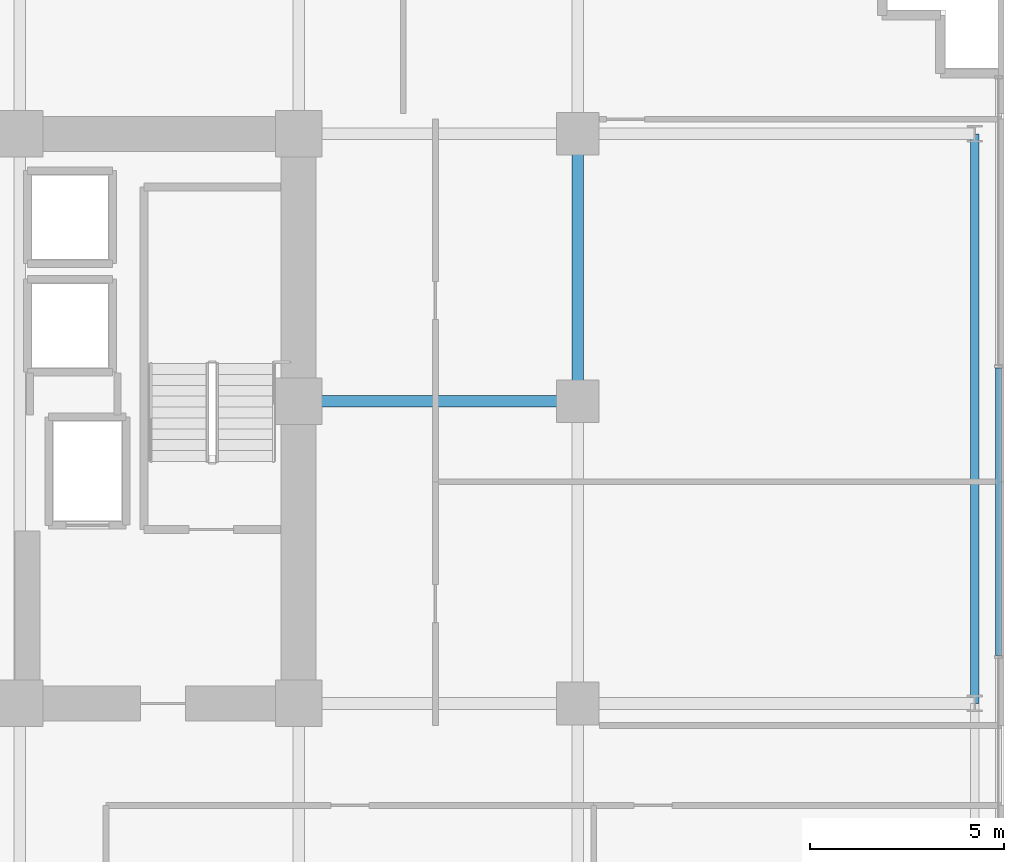
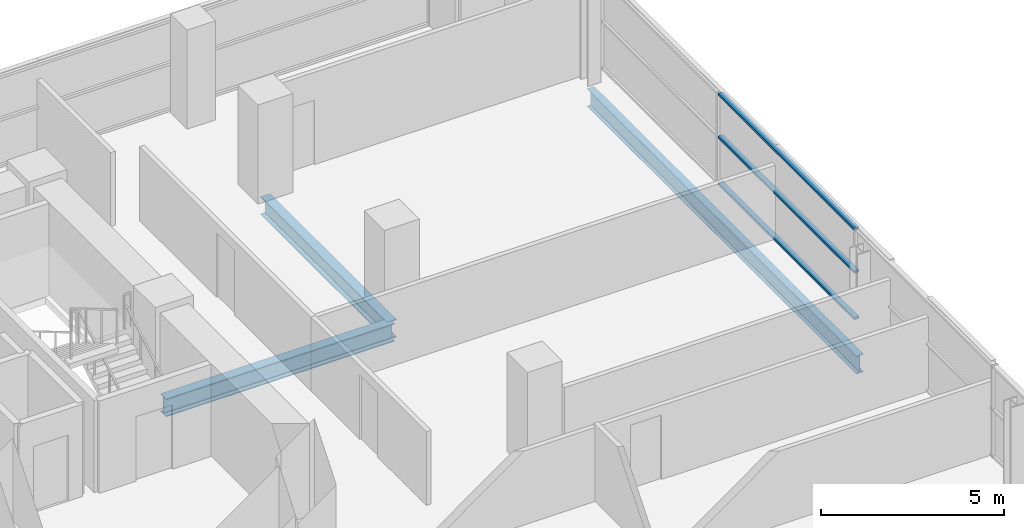
# One storey, part 16 of 31: 3 beams, 3 members, 1 element without a shape of its own.
"""IFC4 building model written with IfcOpenShell, lengths in metres."""

import ifcopenshell
import ifcopenshell.guid

model = None  # the IFC model being written
_history = None  # IfcOwnerHistory: only IFC2X3 demands one
_inside = {}  # id of a spatial element -> (the spatial element, [elements in it])
_under = {}  # id of a project, library or spatial element -> (it, [spatial elements below it])
_declared = {}  # id of a project -> (the project, [libraries it declares])
_typed = {}  # id of a type object -> (the type object, [elements of that type])
_made_of = {}  # id of a material, layer set ... -> (it, [elements and type objects made of it])


def new_model(schema):
    """Start an empty IFC model of exactly this schema.

    Asked for "IFC4X3", IfcOpenShell would pick the latest addendum, in which some entities
    have other attributes; the version numbers below select the first issue.
    IFC2X3 requires an IfcOwnerHistory on every rooted entity: one is made here for all.
    """
    global model, _history
    if schema == "IFC4X3":
        model = ifcopenshell.file(schema_version=(4, 3, 0, 0))
    else:
        model = ifcopenshell.file(schema=schema)
    _inside.clear()
    _under.clear()
    _declared.clear()
    _typed.clear()
    _made_of.clear()
    _history = None
    if model.schema == "IFC2X3":
        org = make("IfcOrganization", Name="unknown")
        user = make(
            "IfcPersonAndOrganization",
            ThePerson=make("IfcPerson", FamilyName="unknown"),
            TheOrganization=org,
        )
        app = make(
            "IfcApplication",
            ApplicationDeveloper=org,
            Version="unknown",
            ApplicationFullName="unknown",
            ApplicationIdentifier="unknown",
        )
        _history = make(
            "IfcOwnerHistory",
            OwningUser=user,
            OwningApplication=app,
            ChangeAction="ADDED",
            CreationDate=0,
        )
    return model


def make(cls, **values):
    """One entity of the class cls with the attributes given. An attribute that is None is left unset."""
    return model.create_entity(
        cls, **{name: value for name, value in values.items() if value is not None}
    )


def rooted(cls, **values):
    """An entity with a GlobalId (a new one), such as an element, a storey or a relation."""
    return make(cls, GlobalId=ifcopenshell.guid.new(), OwnerHistory=_history, **values)


def si_unit(unit_type, name, prefix=None):
    """IfcSIUnit, for example si_unit("LENGTHUNIT", "METRE", prefix="MILLI")."""
    return make("IfcSIUnit", UnitType=unit_type, Prefix=prefix, Name=name)


def assignment(units):
    """IfcUnitAssignment: the units of a project."""
    return None if units is None else make("IfcUnitAssignment", Units=units)


def point(xyz):
    """IfcCartesianPoint."""
    return None if xyz is None else make("IfcCartesianPoint", Coordinates=xyz)


def direction(xyz):
    """IfcDirection."""
    return None if xyz is None else make("IfcDirection", DirectionRatios=xyz)


def frame(location, z_axis=None, x_axis=None):
    """IfcAxis2Placement3D, a coordinate frame: its origin and axes. An axis left out is left unset."""
    return make(
        "IfcAxis2Placement3D",
        Location=point(location),
        Axis=direction(z_axis),
        RefDirection=direction(x_axis),
    )


def frame_2d(location, x_axis=None):
    """IfcAxis2Placement2D, a coordinate frame in the plane: its origin and x axis."""
    return make(
        "IfcAxis2Placement2D", Location=point(location), RefDirection=direction(x_axis)
    )


def origin():
    """The frame at (0, 0, 0) with its axes left unset."""
    return frame((0.0, 0.0, 0.0))


def origin_2d():
    """The frame at (0, 0) in the plane with its x axis left unset."""
    return frame_2d((0.0, 0.0))


def place(relative_to, where):
    """IfcLocalPlacement: puts the frame where relative to a parent placement (None: the world)."""
    return make(
        "IfcLocalPlacement", PlacementRelTo=relative_to, RelativePlacement=where
    )


def context(
    kind, dimensions, precision=None, world=None, true_north=None, identifier=None
):
    """IfcGeometricRepresentationContext, for example the 3D "Model" context."""
    return make(
        "IfcGeometricRepresentationContext",
        ContextIdentifier=identifier,
        ContextType=kind,
        CoordinateSpaceDimension=dimensions,
        Precision=precision,
        WorldCoordinateSystem=world,
        TrueNorth=true_north,
    )


def subcontext(parent, identifier, kind, view, scale=None):
    """IfcGeometricRepresentationSubContext, for example "Body" below "Model"."""
    return make(
        "IfcGeometricRepresentationSubContext",
        ContextIdentifier=identifier,
        ContextType=kind,
        ParentContext=parent,
        TargetScale=scale,
        TargetView=view,
    )


def project(units=None, contexts=None):
    """IfcProject with its units and contexts."""
    return rooted(
        "IfcProject",
        Name="project",
        RepresentationContexts=contexts,
        UnitsInContext=assignment(units),
    )


def spatial(cls, under=None, at=None, **own):
    """A site, building, storey or space (cls), placed at a placement, below another one or the project."""
    s = rooted(cls, ObjectPlacement=at, **own)
    if under is not None:
        _under.setdefault(under.id(), (under, []))[1].append(s)
    return s


def profile(cls, at=None, kind="AREA", **sizes):
    """A parametric profile (cls). Its sizes go by their IFC names, for example OverallWidth=200.0."""
    return make(cls, ProfileType=kind, Position=at, **sizes)


def hollow_rectangle(**sizes):
    """IfcRectangleHollowProfileDef."""
    return profile("IfcRectangleHollowProfileDef", **sizes)


def i_section(**sizes):
    """IfcIShapeProfileDef."""
    return profile("IfcIShapeProfileDef", **sizes)


def extrude(swept, where, along, depth):
    """IfcExtrudedAreaSolid: the profile swept, set in the frame where, extruded along a direction by depth."""
    return make(
        "IfcExtrudedAreaSolid",
        SweptArea=swept,
        Position=where,
        ExtrudedDirection=direction(along),
        Depth=depth,
    )


def shape(context_of_items, identifier, shape_type, items):
    """IfcShapeRepresentation: the items that make up one representation, for example the "Body"."""
    return make(
        "IfcShapeRepresentation",
        ContextOfItems=context_of_items,
        RepresentationIdentifier=identifier,
        RepresentationType=shape_type,
        Items=items,
    )


def source(mapping_origin, context_of_items, identifier, shape_type, items):
    """IfcRepresentationMap: a shape defined once, which mapped items show again and again."""
    return make(
        "IfcRepresentationMap",
        MappingOrigin=mapping_origin,
        MappedRepresentation=shape(context_of_items, identifier, shape_type, items),
    )


def transform(
    local_origin,
    x_axis=None,
    y_axis=None,
    z_axis=None,
    scale=None,
    scale2=None,
    scale3=None,
    uniform=True,
):
    """IfcCartesianTransformationOperator3D, or its non-uniform kind. x_axis, y_axis, z_axis: its Axis1, 2, 3."""
    if uniform:
        return make(
            "IfcCartesianTransformationOperator3D",
            Axis1=direction(x_axis),
            Axis2=direction(y_axis),
            LocalOrigin=point(local_origin),
            Scale=scale,
            Axis3=direction(z_axis),
        )
    return make(
        "IfcCartesianTransformationOperator3DnonUniform",
        Axis1=direction(x_axis),
        Axis2=direction(y_axis),
        LocalOrigin=point(local_origin),
        Scale=scale,
        Axis3=direction(z_axis),
        Scale2=scale2,
        Scale3=scale3,
    )


def mapped(mapping_source, mapping_target):
    """IfcMappedItem: shows the shape of a source again, moved by a transform."""
    return make(
        "IfcMappedItem", MappingSource=mapping_source, MappingTarget=mapping_target
    )


def material(Name=None, Category=None):
    """IfcMaterial."""
    return make("IfcMaterial", Name=Name, Category=Category)


def layer(
    of_material, thickness, ventilated=None, Name=None, Category=None, Priority=None
):
    """IfcMaterialLayer: one layer of a wall or slab, of a material (None: an air gap)."""
    return make(
        "IfcMaterialLayer",
        Material=of_material,
        LayerThickness=thickness,
        IsVentilated=ventilated,
        Name=Name,
        Category=Category,
        Priority=Priority,
    )


def layer_set(layers, Name=None):
    """IfcMaterialLayerSet."""
    return make("IfcMaterialLayerSet", MaterialLayers=layers, LayerSetName=Name)


def material_profile(
    of_material, cross_section, Name=None, Category=None, Priority=None
):
    """IfcMaterialProfile: a cross section and its material."""
    return make(
        "IfcMaterialProfile",
        Name=Name,
        Material=of_material,
        Profile=cross_section,
        Priority=Priority,
        Category=Category,
    )


def profile_set(profiles, Name=None, composite=None):
    """IfcMaterialProfileSet."""
    return make(
        "IfcMaterialProfileSet",
        Name=Name,
        MaterialProfiles=profiles,
        CompositeProfile=composite,
    )


def made_of(thing, what):
    """Note that an element or type object is made of a material, layer set ...; save() writes the relation."""
    if what is not None:
        _made_of.setdefault(what.id(), (what, []))[1].append(thing)
    return thing


def type_object(cls, material=None, **own):
    """A type object (cls), such as IfcWallType, which elements share."""
    return made_of(rooted(cls, **own), material)


def element(
    cls,
    number,
    at=None,
    inside=None,
    cuts=None,
    type_object=None,
    material=None,
    context=None,
    identifier="Body",
    shape_type=None,
    held_by="IfcProductDefinitionShape",
    body=None,
    shapes=None,
    **own,
):
    """One element of the class cls, such as IfcWall. Its Tag is "e" and its number.

    at: its placement. inside: the storey or other place that contains it. cuts: it is an
    opening in that element (IfcRelVoidsElement). A single representation is given by context,
    identifier, shape_type and body (its items); several are given by shapes. held_by: the class
    of the entity that holds the representations. save() writes the other relations.
    """
    e = rooted(cls, Tag="e%d" % number, ObjectPlacement=at, **own)
    if body is not None:
        shapes = [shape(context, identifier, shape_type, body)]
    if shapes is not None:
        e.Representation = make(held_by, Representations=shapes)
    if inside is not None:
        _inside.setdefault(inside.id(), (inside, []))[1].append(e)
    if cuts is not None:
        rooted(
            "IfcRelVoidsElement", RelatingBuildingElement=cuts, RelatedOpeningElement=e
        )
    if type_object is not None:
        _typed.setdefault(type_object.id(), (type_object, []))[1].append(e)
    return made_of(e, material)


def aggregate(whole, parts):
    """IfcRelAggregates: a whole, such as a stair, and the parts it consists of."""
    return rooted("IfcRelAggregates", RelatingObject=whole, RelatedObjects=parts)


def save(model, path):
    """Write the relations noted so far, then the file.

    IfcRelAggregates (storeys below a building ...), IfcRelContainedInSpatialStructure (elements
    in a storey), IfcRelDefinesByType, IfcRelAssociatesMaterial and IfcRelDeclares: one each for
    every whole, place, type object, material and project.
    """
    for whole, parts in _under.values():
        aggregate(whole, parts)
    for where, things in _inside.values():
        rooted(
            "IfcRelContainedInSpatialStructure",
            RelatedElements=things,
            RelatingStructure=where,
        )
    for kind, things in _typed.values():
        rooted("IfcRelDefinesByType", RelatedObjects=things, RelatingType=kind)
    for what, things in _made_of.values():
        rooted("IfcRelAssociatesMaterial", RelatedObjects=things, RelatingMaterial=what)
    for by, libraries in _declared.values():
        rooted("IfcRelDeclares", RelatingContext=by, RelatedDefinitions=libraries)
    model.write(path)


model = new_model("IFC4")

# Units and contexts
model_context = context("Model", 3, precision=1e-05, world=origin(), true_north=direction((0.0, 1.0)))
body_context = subcontext(model_context, "Body", "Model", "MODEL_VIEW")
ifc_project = project(units=[si_unit("LENGTHUNIT", "METRE"), si_unit("AREAUNIT", "SQUARE_METRE"), si_unit("VOLUMEUNIT", "CUBIC_METRE"), si_unit("PLANEANGLEUNIT", "RADIAN"), si_unit("MASSUNIT", "GRAM", prefix="KILO")], contexts=[model_context])

# Site, building, storey
site_placement = place(None, origin())
site = spatial("IfcSite", under=ifc_project, at=site_placement, CompositionType="ELEMENT")
building_placement = place(site_placement, origin())
building = spatial("IfcBuilding", under=site, at=building_placement, Name="Zarnakvel Exchange Tower", CompositionType="ELEMENT")
storey_placement = place(building_placement, frame((0.0, 0.0, 67.0)))
storey = spatial("IfcBuildingStorey", under=building, at=storey_placement, Name="L18", CompositionType="ELEMENT", Elevation=67.0)

# Beams
ifc_material_1 = material(Name="Steel S355", Category="steel")
ifc_material_profile_1 = material_profile(ifc_material_1, i_section(OverallWidth=0.300048828125, OverallDepth=0.60009765625, WebThickness=0.015380859375, FlangeThickness=0.030029296875, FilletRadius=0.027099609375, at=origin_2d()))
ifc_profile_set_1 = profile_set([ifc_material_profile_1], Name="Steel S355")
beam_type_1 = type_object("IfcBeamType", Name="G-04", PredefinedType="BEAM", material=ifc_profile_set_1)
beam_1_placement = place(storey_placement, frame((14.39990234375, 6.60009765625, -0.52490234375), z_axis=(1.0, 0.0, 0.0), x_axis=(0.0, 1.0, 0.0)))
element("IfcBeam", 1, at=beam_1_placement, inside=storey, type_object=beam_type_1, Name="L18 Tower E-W Frame Beam", PredefinedType="BEAM", context=body_context, shape_type="SweptSolid", body=[
    extrude(i_section(OverallWidth=0.300048828125, OverallDepth=0.60009765625, WebThickness=0.015380859375, FlangeThickness=0.030029296875, FilletRadius=0.027099609375, at=origin_2d()), origin(), (0.0, 0.0, 1.0), 7.2001953125),
])
beam_2_placement = place(storey_placement, frame((21.60009765625, 6.60009765625, -0.52490234375), z_axis=(0.0, 1.0, 0.0), x_axis=(-1.0, 0.0, 0.0)))
element("IfcBeam", 2, at=beam_2_placement, inside=storey, type_object=beam_type_1, Name="L18 Tower N-S Frame Beam", PredefinedType="BEAM", context=body_context, shape_type="SweptSolid", body=[
    extrude(i_section(OverallWidth=0.300048828125, OverallDepth=0.60009765625, WebThickness=0.015380859375, FlangeThickness=0.030029296875, FilletRadius=0.027099609375, at=origin_2d()), origin(), (0.0, 0.0, 1.0), 6.89990234375),
])
ifc_material_profile_2 = material_profile(ifc_material_1, i_section(OverallWidth=0.219970703125, OverallDepth=0.60009765625, WebThickness=0.011962890625, FlangeThickness=0.01904296875, FilletRadius=0.02392578125, at=origin_2d()))
ifc_profile_set_2 = profile_set([ifc_material_profile_2], Name="Steel S355")
beam_type_2 = type_object("IfcBeamType", Name="SP-01", PredefinedType="SPANDREL", material=ifc_profile_set_2)
beam_3_placement = place(storey_placement, frame((31.85009765625, -1.199951171875, -0.52490234375), z_axis=(0.0, 1.0, 0.0), x_axis=(-1.0, 0.0, 0.0)))
element("IfcBeam", 3, at=beam_3_placement, inside=storey, type_object=beam_type_2, Name="L18 Tower N-S Frame Beam", PredefinedType="SPANDREL", context=body_context, shape_type="SweptSolid", body=[
    extrude(i_section(OverallWidth=0.219970703125, OverallDepth=0.60009765625, WebThickness=0.011962890625, FlangeThickness=0.01904296875, FilletRadius=0.02392578125, at=origin_2d()), origin(), (0.0, 0.0, 1.0), 14.699951171875),
])

# Curtain wall, members
ifc_material_2 = material(Name="Architectural Bronze Anodised Aluminium", Category="aluminium")
ifc_layer = layer(ifc_material_2, 0.199951171875)
ifc_layer_set = layer_set([ifc_layer], Name="Architectural Bronze Anodised Aluminium")
curtain_wall_type = type_object("IfcCurtainWallType", Name="CW-04", PredefinedType="NOTDEFINED", material=ifc_layer_set)
curtain_wall_placement = place(storey_placement, origin())
curtain_wall = element("IfcCurtainWall", 4, at=curtain_wall_placement, inside=storey, type_object=curtain_wall_type, Name="L18 Curtain Wall CW-L18-E1 (CW-04)", PredefinedType="NOTDEFINED")
ifc_material_profile_3 = material_profile(ifc_material_2, hollow_rectangle(XDim=0.159912109375, YDim=0.074951171875, WallThickness=0.00390625, at=origin_2d()))
ifc_profile_set_3 = profile_set([ifc_material_profile_3], Name="Architectural Bronze Anodised Aluminium")
member_type = type_object("IfcMemberType", Name="CWT-04", PredefinedType="USERDEFINED", material=ifc_profile_set_3)
shared_shape = source(origin(), body_context, "Body", "SweptSolid", [
    extrude(hollow_rectangle(XDim=0.159912109375, YDim=0.074951171875, WallThickness=0.00390625, at=origin_2d()), origin(), (0.0, 0.0, 1.0), 7.4248046875),
])
member_1_placement = place(storey_placement, frame((32.4599609375, 0.03759765625, 0.03759765625), z_axis=(0.0, 1.0, 0.0), x_axis=(-1.0, 0.0, 0.0)))
member_1 = element("IfcMember", 5, at=member_1_placement, type_object=member_type, Name="CW-04 transom 3.1", ObjectType="TRANSOM", PredefinedType="USERDEFINED", context=body_context, shape_type="MappedRepresentation", body=[
    mapped(shared_shape, transform((0.0, 0.0, 0.0), x_axis=(1.0, 0.0, 0.0), y_axis=(0.0, 1.0, 0.0), z_axis=(0.0, 0.0, 1.0), scale=1.0)),
])
member_2_placement = place(storey_placement, frame((32.4599609375, 0.03759765625, 1.588623046875), z_axis=(0.0, 1.0, 0.0), x_axis=(-1.0, 0.0, 0.0)))
member_2 = element("IfcMember", 6, at=member_2_placement, type_object=member_type, Name="CW-04 transom 3.2", ObjectType="TRANSOM", PredefinedType="USERDEFINED", context=body_context, shape_type="MappedRepresentation", body=[
    mapped(shared_shape, transform((0.0, 0.0, 0.0), x_axis=(1.0, 0.0, 0.0), y_axis=(0.0, 1.0, 0.0), z_axis=(0.0, 0.0, 1.0), scale=1.0)),
])
member_3_placement = place(storey_placement, frame((32.4599609375, 0.03759765625, 3.017578125), z_axis=(0.0, 1.0, 0.0), x_axis=(-1.0, 0.0, 0.0)))
member_3 = element("IfcMember", 7, at=member_3_placement, type_object=member_type, Name="CW-04 transom 3.3", ObjectType="TRANSOM", PredefinedType="USERDEFINED", context=body_context, shape_type="MappedRepresentation", body=[
    mapped(shared_shape, transform((0.0, 0.0, 0.0), x_axis=(1.0, 0.0, 0.0), y_axis=(0.0, 1.0, 0.0), z_axis=(0.0, 0.0, 1.0), scale=1.0)),
])
aggregate(curtain_wall, [member_1, member_2, member_3])

save(model, "model.ifc")
